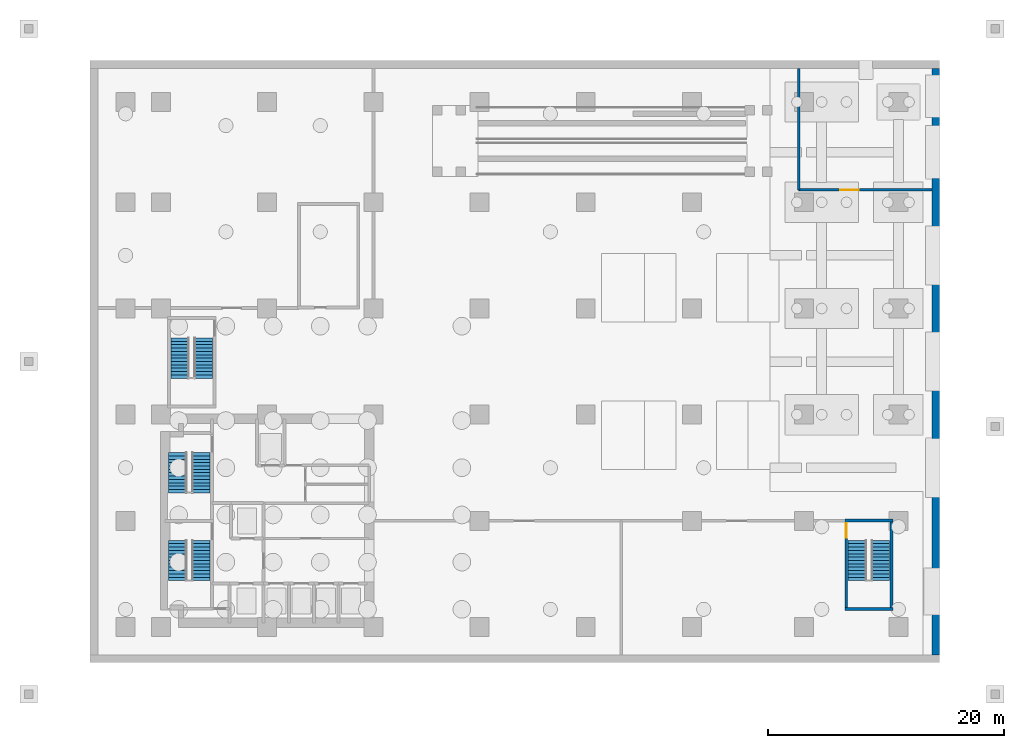
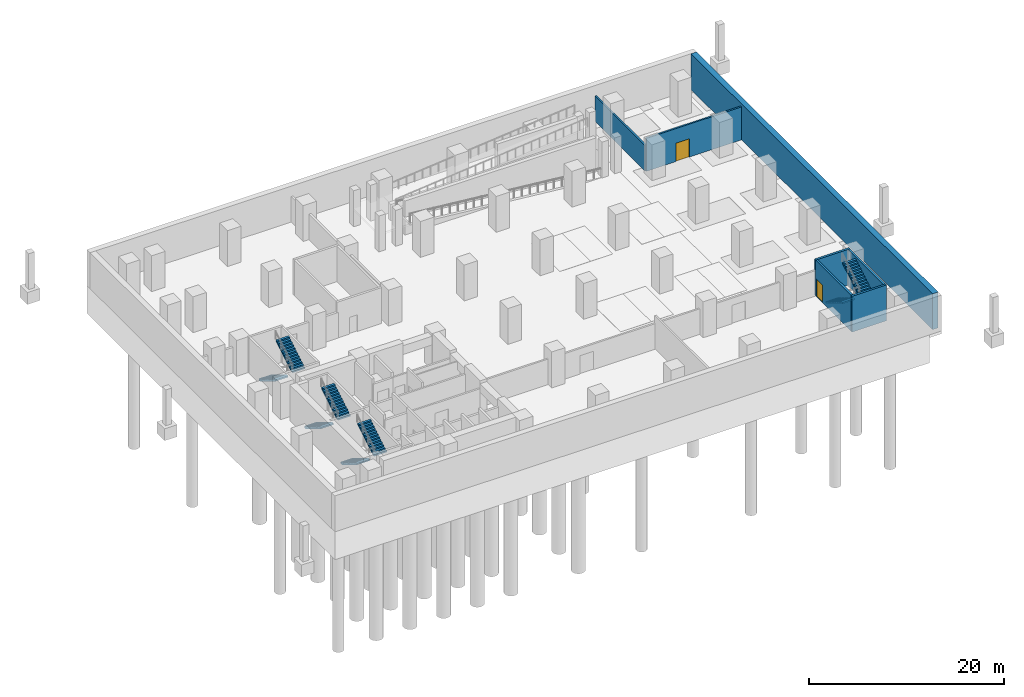
# One storey, part 7 of 10: 8 stair flights, 7 walls, 2 doors, 2 openings, 4 elements without a shape of their own.
"""IFC4 building model written with IfcOpenShell, lengths in metres."""

from ifc_helpers import new_model, si_unit, direction, frame, frame_2d, origin, place, context, subcontext, project, spatial, polyline, rectangle, outline, extrude, material, layer, layer_set, type_object, element, fill, aggregate, save


model = new_model("IFC4")

# Units and contexts
model_context = context("Model", 3, precision=1e-05, world=origin(), true_north=direction((0.0, 1.0)))
body_context = subcontext(model_context, "Body", "Model", "MODEL_VIEW")
ifc_project = project(units=[si_unit("LENGTHUNIT", "METRE"), si_unit("AREAUNIT", "SQUARE_METRE"), si_unit("VOLUMEUNIT", "CUBIC_METRE"), si_unit("PLANEANGLEUNIT", "RADIAN"), si_unit("MASSUNIT", "GRAM", prefix="KILO")], contexts=[model_context])

# Site, building, storey
site_placement = place(None, origin())
site = spatial("IfcSite", under=ifc_project, at=site_placement, CompositionType="ELEMENT")
building_placement = place(site_placement, origin())
building = spatial("IfcBuilding", under=site, at=building_placement, Name="Mawjdan Bourse Tower", CompositionType="ELEMENT")
storey_placement = place(building_placement, frame((0.0, 0.0, -13.5)))
storey = spatial("IfcBuildingStorey", under=building, at=storey_placement, Name="B03", CompositionType="ELEMENT", Elevation=-13.5)

# Wall, opening, door
ifc_material_1 = material(Name="Gypsum Fireboard Assembly")
ifc_layer_1 = layer(ifc_material_1, 0.199951171875)
ifc_layer_set_1 = layer_set([ifc_layer_1], Name="Gypsum Fireboard Assembly")
wall_type_1 = type_object("IfcWallType", Name="WL-CMP-200", PredefinedType="PARTITIONING", material=ifc_layer_set_1)
wall_1_placement = place(storey_placement, frame((60.050048828125, 40.050048828125, 0.0), z_axis=(0.0, 0.0, 1.0), x_axis=(1.0, 0.0, 0.0)))
wall_1 = element("IfcWall", 1, at=wall_1_placement, inside=storey, type_object=wall_type_1, Name="B03 Smoke Fan South Wall", PredefinedType="PARTITIONING", context=body_context, shape_type="SweptSolid", body=[
    extrude(rectangle(XDim=11.300048828125, YDim=0.199951171875, at=frame_2d((5.64990234375, 0.0))), origin(), (0.0, 0.0, 1.0), 4.139892578125),
])
opening_1_placement = place(wall_1_placement, frame((3.5, 0.0, 0.0)))
opening_1 = element("IfcOpeningElement", 2, at=opening_1_placement, cuts=wall_1, Name="Opening PD-B03-24", PredefinedType="OPENING", context=body_context, shape_type="SweptSolid", body=[
    extrude(rectangle(XDim=1.60009765625, YDim=2.300048828125, at=frame_2d((0.800048828125, 1.14990234375))), frame((0.0, 0.10986328125, 0.0), z_axis=(0.0, -1.0, 0.0), x_axis=(1.0, 0.0, 0.0)), (0.0, 0.0, 1.0), 0.219970703125),
])
ifc_material_2 = material(Name="Fire-Rated Acoustic Steel", Category="steel")
door_type_1 = type_object("IfcDoorType", Name="FD-PLT-1600", OperationType="DOUBLE_DOOR_SINGLE_SWING", PredefinedType="DOOR", material=ifc_material_2)
door_1_placement = place(opening_1_placement, origin())
door_1 = element("IfcDoor", 3, at=door_1_placement, inside=storey, type_object=door_type_1, Name="B03 Smoke Fan Room Door PD-B03-24", OperationType="DOUBLE_DOOR_SINGLE_SWING", OverallHeight=2.300048828125, OverallWidth=1.60009765625, PredefinedType="DOOR", context=body_context, shape_type="SweptSolid", body=[
    extrude(rectangle(XDim=1.60009765625, YDim=2.300048828125, at=frame_2d((0.800048828125, 1.14990234375))), frame((0.0, 0.02490234375, 0.0), z_axis=(0.0, -1.0, 0.0), x_axis=(1.0, 0.0, 0.0)), (0.0, 0.0, 1.0), 0.050048828125),
])
fill(opening_1, door_1)

# Walls
wall_2_placement = place(storey_placement, frame((60.050048828125, 40.050048828125, 0.0), z_axis=(0.0, 0.0, 1.0), x_axis=(0.0, 1.0, 0.0)))
element("IfcWall", 4, at=wall_2_placement, inside=storey, type_object=wall_type_1, Name="B03 Smoke Fan West Wall", PredefinedType="PARTITIONING", context=body_context, shape_type="SweptSolid", body=[
    extrude(rectangle(XDim=10.300048828125, YDim=0.199951171875, at=frame_2d((5.14990234375, 0.0))), origin(), (0.0, 0.0, 1.0), 3.199951171875),
])
ifc_material_3 = material(Name="Concrete C60/75", Category="concrete")
ifc_layer_2 = layer(ifc_material_3, 0.64990234375)
ifc_layer_set_2 = layer_set([ifc_layer_2], Name="Concrete C60/75")
wall_type_2 = type_object("IfcWallType", Name="WL-RET-650", PredefinedType="USERDEFINED", material=ifc_layer_set_2)
wall_3_placement = place(storey_placement, frame((71.675048828125, 0.64990234375, 0.0), z_axis=(0.0, 0.0, 1.0), x_axis=(0.0, 1.0, 0.0)))
element("IfcWall", 5, at=wall_3_placement, inside=storey, type_object=wall_type_2, Name="B03 Perimeter Diaphragm Retaining Wall E", ObjectType="RETAINING", PredefinedType="USERDEFINED", context=body_context, shape_type="SweptSolid", body=[
    extrude(rectangle(XDim=49.7001953125, YDim=0.64990234375, at=frame_2d((24.85009765625, 0.0))), origin(), (0.0, 0.0, 1.0), 4.5),
])
ifc_material_4 = material(Name="Concrete C50/60", Category="concrete")
ifc_layer_3 = layer(ifc_material_4, 0.25)
ifc_layer_set_3 = layer_set([ifc_layer_3], Name="Concrete C50/60")
wall_type_3 = type_object("IfcWallType", Name="WL-STRW-250", PredefinedType="SHEAR", material=ifc_layer_set_3)
for number, where, z_axis, x_axis, name in (
    (6, (63.955078125, 4.530029296875, 0.0), (0.0, 0.0, 1.0), (1.0, 0.0, 0.0), "B03 ST6 South Shaft Wall"),
    (7, (63.955078125, 12.030029296875, 0.0), (0.0, 0.0, 1.0), (1.0, 0.0, 0.0), "B03 ST6 North Shaft Wall"),
):
    element("IfcWall", number, at=place(storey_placement, frame(where, z_axis=z_axis, x_axis=x_axis)), inside=storey, type_object=wall_type_3, Name=name, PredefinedType="SHEAR", context=body_context, shape_type="SweptSolid", body=[
        extrude(rectangle(XDim=4.08984375, YDim=0.25, at=frame_2d((2.044921875, 0.0))), origin(), (0.0, 0.0, 1.0), 4.5),
    ])
wall_4_placement = place(storey_placement, frame((67.919921875, 4.530029296875, 0.0), z_axis=(0.0, 0.0, 1.0), x_axis=(0.0, 1.0, 0.0)))
element("IfcWall", 8, at=wall_4_placement, inside=storey, type_object=wall_type_3, Name="B03 ST6 East Shaft Wall", PredefinedType="SHEAR", context=body_context, shape_type="SweptSolid", body=[
    extrude(rectangle(XDim=7.5, YDim=0.25, at=frame_2d((3.75, 0.0))), origin(), (0.0, 0.0, 1.0), 4.5),
])

# Wall, opening, door
wall_5_placement = place(storey_placement, frame((64.080078125, 4.530029296875, 0.0), z_axis=(0.0, 0.0, 1.0), x_axis=(0.0, 1.0, 0.0)))
wall_5 = element("IfcWall", 9, at=wall_5_placement, inside=storey, type_object=wall_type_3, Name="B03 ST6 West Shaft Wall", PredefinedType="SHEAR", context=body_context, shape_type="SweptSolid", body=[
    extrude(rectangle(XDim=7.5, YDim=0.25, at=frame_2d((3.75, 0.0))), origin(), (0.0, 0.0, 1.0), 4.5),
])
opening_2_placement = place(wall_5_placement, frame((6.02001953125, 0.0, 0.0)))
opening_2 = element("IfcOpeningElement", 10, at=opening_2_placement, cuts=wall_5, Name="Opening SD-B03-19", PredefinedType="OPENING", context=body_context, shape_type="SweptSolid", body=[
    extrude(rectangle(XDim=1.25, YDim=2.199951171875, at=frame_2d((0.625, 1.10009765625))), frame((0.0, 0.135009765625, 0.0), z_axis=(0.0, -1.0, 0.0), x_axis=(1.0, 0.0, 0.0)), (0.0, 0.0, 1.0), 0.27001953125),
])
ifc_material_5 = material(Name="Fire-Rated Steel Leaf", Category="steel")
door_type_2 = type_object("IfcDoorType", Name="FD-ST-1250", OperationType="NOTDEFINED", PredefinedType="DOOR", material=ifc_material_5)
door_2_placement = place(opening_2_placement, frame((1.25, 0.0, 0.0), z_axis=(0.0, 0.0, 1.0), x_axis=(-1.0, 0.0, 0.0)))
door_2 = element("IfcDoor", 11, at=door_2_placement, inside=storey, type_object=door_type_2, Name="B03 Stair ST6 Fire Door SD-B03-19", OperationType="SINGLE_SWING_RIGHT", OverallHeight=2.199951171875, OverallWidth=1.25, PredefinedType="DOOR", context=body_context, shape_type="SweptSolid", body=[
    extrude(rectangle(XDim=1.25, YDim=2.199951171875, at=frame_2d((0.625, 1.10009765625))), frame((0.0, 0.02490234375, 0.0), z_axis=(0.0, -1.0, 0.0), x_axis=(1.0, 0.0, 0.0)), (0.0, 0.0, 1.0), 0.050048828125),
])
fill(opening_2, door_2)

# Stair, stair flights
stair_type = type_object("IfcStairType", Name="STR-CORE-1500", PredefinedType="HALF_TURN_STAIR", material=ifc_material_4)
stair_1_placement = place(storey_placement, origin())
stair_1 = element("IfcStair", 12, at=stair_1_placement, inside=storey, type_object=stair_type, Name="B03 Exit Stair 1 (Core South-West)", PredefinedType="HALF_TURN_STAIR")
stair_flight_type = type_object("IfcStairFlightType", Name="SFL-RC-1500", PredefinedType="STRAIGHT", material=ifc_material_4)
stair_flight_1_placement = place(storey_placement, frame((7.389892578125, 10.35009765625, 0.0), z_axis=(0.0, 0.0, 1.0), x_axis=(0.0, -1.0, 0.0)))
stair_flight_1 = element("IfcStairFlight", 13, at=stair_flight_1_placement, type_object=stair_flight_type, Name="ST1-B03 flight 1", NumberOfRisers=13, NumberOfTreads=12, PredefinedType="STRAIGHT", RiserHeight=0.173077, TreadLength=0.285, context=body_context, shape_type="SweptSolid", body=[
    extrude(outline(polyline([(0.0, 0.0), (0.0, 0.173095703125), (0.284912109375, 0.173095703125), (0.284912109375, 0.34619140625), (0.570068359375, 0.34619140625), (0.570068359375, 0.519287109375), (0.85498046875, 0.519287109375), (0.85498046875, 0.6923828125), (1.139892578125, 0.6923828125), (1.139892578125, 0.865478515625), (1.425048828125, 0.865478515625), (1.425048828125, 1.03857421875), (1.7099609375, 1.03857421875), (1.7099609375, 1.21142578125), (1.9951171875, 1.21142578125), (1.9951171875, 1.384521484375), (2.280029296875, 1.384521484375), (2.280029296875, 1.5576171875), (2.56494140625, 1.5576171875), (2.56494140625, 1.730712890625), (2.85009765625, 1.730712890625), (2.85009765625, 1.90380859375), (3.135009765625, 1.90380859375), (3.135009765625, 2.076904296875), (3.419921875, 2.076904296875), (3.419921875, 2.25), (3.419921875, 1.889892578125), (0.30810546875, 0.0), (0.0, 0.0)])), frame((0.0, 0.75, 0.0), z_axis=(0.0, -1.0, 0.0), x_axis=(1.0, 0.0, 0.0)), (0.0, 0.0, 1.0), 1.5),
])
stair_flight_2_placement = place(storey_placement, frame((9.409912109375, 6.929931640625, 2.25), z_axis=(0.0, 0.0, 1.0), x_axis=(0.0, 1.0, 0.0)))
stair_flight_2 = element("IfcStairFlight", 14, at=stair_flight_2_placement, type_object=stair_flight_type, Name="ST1-B03 flight 2", NumberOfRisers=13, NumberOfTreads=12, PredefinedType="STRAIGHT", RiserHeight=0.173077, TreadLength=0.285, context=body_context, shape_type="SweptSolid", body=[
    extrude(outline(polyline([(0.0, 0.0), (0.0, 0.173095703125), (0.284912109375, 0.173095703125), (0.284912109375, 0.34619140625), (0.570068359375, 0.34619140625), (0.570068359375, 0.519287109375), (0.85498046875, 0.519287109375), (0.85498046875, 0.6923828125), (1.139892578125, 0.6923828125), (1.139892578125, 0.865478515625), (1.425048828125, 0.865478515625), (1.425048828125, 1.03857421875), (1.7099609375, 1.03857421875), (1.7099609375, 1.21142578125), (1.9951171875, 1.21142578125), (1.9951171875, 1.384521484375), (2.280029296875, 1.384521484375), (2.280029296875, 1.5576171875), (2.56494140625, 1.5576171875), (2.56494140625, 1.730712890625), (2.85009765625, 1.730712890625), (2.85009765625, 1.90380859375), (3.135009765625, 1.90380859375), (3.135009765625, 2.076904296875), (3.419921875, 2.076904296875), (3.419921875, 2.25), (3.419921875, 1.889892578125), (0.30810546875, 0.0), (0.0, 0.0)])), frame((0.0, 0.75, 0.0), z_axis=(0.0, -1.0, 0.0), x_axis=(1.0, 0.0, 0.0)), (0.0, 0.0, 1.0), 1.5),
])
aggregate(stair_1, [stair_flight_1, stair_flight_2])

stair_2_placement = place(storey_placement, origin())
stair_2 = element("IfcStair", 15, at=stair_2_placement, inside=storey, type_object=stair_type, Name="B03 Exit Stair 2 (Core North-West)", PredefinedType="HALF_TURN_STAIR")
stair_flight_3_placement = place(storey_placement, frame((7.389892578125, 17.7900390625, 0.0), z_axis=(0.0, 0.0, 1.0), x_axis=(0.0, -1.0, 0.0)))
stair_flight_3 = element("IfcStairFlight", 16, at=stair_flight_3_placement, type_object=stair_flight_type, Name="ST2-B03 flight 1", NumberOfRisers=13, NumberOfTreads=12, PredefinedType="STRAIGHT", RiserHeight=0.173077, TreadLength=0.285, context=body_context, shape_type="SweptSolid", body=[
    extrude(outline(polyline([(0.0, 0.0), (0.0, 0.173095703125), (0.284912109375, 0.173095703125), (0.284912109375, 0.34619140625), (0.570068359375, 0.34619140625), (0.570068359375, 0.519287109375), (0.85498046875, 0.519287109375), (0.85498046875, 0.6923828125), (1.139892578125, 0.6923828125), (1.139892578125, 0.865478515625), (1.425048828125, 0.865478515625), (1.425048828125, 1.03857421875), (1.7099609375, 1.03857421875), (1.7099609375, 1.21142578125), (1.9951171875, 1.21142578125), (1.9951171875, 1.384521484375), (2.280029296875, 1.384521484375), (2.280029296875, 1.5576171875), (2.56494140625, 1.5576171875), (2.56494140625, 1.730712890625), (2.85009765625, 1.730712890625), (2.85009765625, 1.90380859375), (3.135009765625, 1.90380859375), (3.135009765625, 2.076904296875), (3.419921875, 2.076904296875), (3.419921875, 2.25), (3.419921875, 1.889892578125), (0.30810546875, 0.0), (0.0, 0.0)])), frame((0.0, 0.75, 0.0), z_axis=(0.0, -1.0, 0.0), x_axis=(1.0, 0.0, 0.0)), (0.0, 0.0, 1.0), 1.5),
])
stair_flight_4_placement = place(storey_placement, frame((9.409912109375, 14.3701171875, 2.25), z_axis=(0.0, 0.0, 1.0), x_axis=(0.0, 1.0, 0.0)))
stair_flight_4 = element("IfcStairFlight", 17, at=stair_flight_4_placement, type_object=stair_flight_type, Name="ST2-B03 flight 2", NumberOfRisers=13, NumberOfTreads=12, PredefinedType="STRAIGHT", RiserHeight=0.173077, TreadLength=0.285, context=body_context, shape_type="SweptSolid", body=[
    extrude(outline(polyline([(0.0, 0.0), (0.0, 0.173095703125), (0.284912109375, 0.173095703125), (0.284912109375, 0.34619140625), (0.570068359375, 0.34619140625), (0.570068359375, 0.519287109375), (0.85498046875, 0.519287109375), (0.85498046875, 0.6923828125), (1.139892578125, 0.6923828125), (1.139892578125, 0.865478515625), (1.425048828125, 0.865478515625), (1.425048828125, 1.03857421875), (1.7099609375, 1.03857421875), (1.7099609375, 1.21142578125), (1.9951171875, 1.21142578125), (1.9951171875, 1.384521484375), (2.280029296875, 1.384521484375), (2.280029296875, 1.5576171875), (2.56494140625, 1.5576171875), (2.56494140625, 1.730712890625), (2.85009765625, 1.730712890625), (2.85009765625, 1.90380859375), (3.135009765625, 1.90380859375), (3.135009765625, 2.076904296875), (3.419921875, 2.076904296875), (3.419921875, 2.25), (3.419921875, 1.889892578125), (0.30810546875, 0.0), (0.0, 0.0)])), frame((0.0, 0.75, 0.0), z_axis=(0.0, -1.0, 0.0), x_axis=(1.0, 0.0, 0.0)), (0.0, 0.0, 1.0), 1.5),
])
aggregate(stair_2, [stair_flight_3, stair_flight_4])

stair_3_placement = place(storey_placement, origin())
stair_3 = element("IfcStair", 18, at=stair_3_placement, inside=storey, type_object=stair_type, Name="B03 Exit Stair 3 (North Wing)", PredefinedType="HALF_TURN_STAIR")
stair_flight_5_placement = place(storey_placement, frame((7.590087890625, 27.5, 0.0), z_axis=(0.0, 0.0, 1.0), x_axis=(0.0, -1.0, 0.0)))
stair_flight_5 = element("IfcStairFlight", 19, at=stair_flight_5_placement, type_object=stair_flight_type, Name="ST3-B03 flight 1", NumberOfRisers=13, NumberOfTreads=12, PredefinedType="STRAIGHT", RiserHeight=0.173077, TreadLength=0.285, context=body_context, shape_type="SweptSolid", body=[
    extrude(outline(polyline([(0.0, 0.0), (0.0, 0.173095703125), (0.284912109375, 0.173095703125), (0.284912109375, 0.34619140625), (0.570068359375, 0.34619140625), (0.570068359375, 0.519287109375), (0.85498046875, 0.519287109375), (0.85498046875, 0.6923828125), (1.139892578125, 0.6923828125), (1.139892578125, 0.865478515625), (1.425048828125, 0.865478515625), (1.425048828125, 1.03857421875), (1.7099609375, 1.03857421875), (1.7099609375, 1.21142578125), (1.9951171875, 1.21142578125), (1.9951171875, 1.384521484375), (2.280029296875, 1.384521484375), (2.280029296875, 1.5576171875), (2.56494140625, 1.5576171875), (2.56494140625, 1.730712890625), (2.85009765625, 1.730712890625), (2.85009765625, 1.90380859375), (3.135009765625, 1.90380859375), (3.135009765625, 2.076904296875), (3.419921875, 2.076904296875), (3.419921875, 2.25), (3.419921875, 1.889892578125), (0.30810546875, 0.0), (0.0, 0.0)])), frame((0.0, 0.75, 0.0), z_axis=(0.0, -1.0, 0.0), x_axis=(1.0, 0.0, 0.0)), (0.0, 0.0, 1.0), 1.5),
])
stair_flight_6_placement = place(storey_placement, frame((9.610107421875, 24.080078125, 2.25), z_axis=(0.0, 0.0, 1.0), x_axis=(0.0, 1.0, 0.0)))
stair_flight_6 = element("IfcStairFlight", 20, at=stair_flight_6_placement, type_object=stair_flight_type, Name="ST3-B03 flight 2", NumberOfRisers=13, NumberOfTreads=12, PredefinedType="STRAIGHT", RiserHeight=0.173077, TreadLength=0.285, context=body_context, shape_type="SweptSolid", body=[
    extrude(outline(polyline([(0.0, 0.0), (0.0, 0.173095703125), (0.284912109375, 0.173095703125), (0.284912109375, 0.34619140625), (0.570068359375, 0.34619140625), (0.570068359375, 0.519287109375), (0.85498046875, 0.519287109375), (0.85498046875, 0.6923828125), (1.139892578125, 0.6923828125), (1.139892578125, 0.865478515625), (1.425048828125, 0.865478515625), (1.425048828125, 1.03857421875), (1.7099609375, 1.03857421875), (1.7099609375, 1.21142578125), (1.9951171875, 1.21142578125), (1.9951171875, 1.384521484375), (2.280029296875, 1.384521484375), (2.280029296875, 1.5576171875), (2.56494140625, 1.5576171875), (2.56494140625, 1.730712890625), (2.85009765625, 1.730712890625), (2.85009765625, 1.90380859375), (3.135009765625, 1.90380859375), (3.135009765625, 2.076904296875), (3.419921875, 2.076904296875), (3.419921875, 2.25), (3.419921875, 1.889892578125), (0.30810546875, 0.0), (0.0, 0.0)])), frame((0.0, 0.75, 0.0), z_axis=(0.0, -1.0, 0.0), x_axis=(1.0, 0.0, 0.0)), (0.0, 0.0, 1.0), 1.5),
])
aggregate(stair_3, [stair_flight_5, stair_flight_6])

stair_4_placement = place(storey_placement, origin())
stair_4 = element("IfcStair", 21, at=stair_4_placement, inside=storey, type_object=stair_type, Name="B03 Exit Stair 6 (East Podium Pier)", PredefinedType="HALF_TURN_STAIR")
stair_flight_7_placement = place(storey_placement, frame((64.989990234375, 10.35009765625, 0.0), z_axis=(0.0, 0.0, 1.0), x_axis=(0.0, -1.0, 0.0)))
stair_flight_7 = element("IfcStairFlight", 22, at=stair_flight_7_placement, type_object=stair_flight_type, Name="ST6-B03 flight 1", NumberOfRisers=13, NumberOfTreads=12, PredefinedType="STRAIGHT", RiserHeight=0.173077, TreadLength=0.285, context=body_context, shape_type="SweptSolid", body=[
    extrude(outline(polyline([(0.0, 0.0), (0.0, 0.173095703125), (0.284912109375, 0.173095703125), (0.284912109375, 0.34619140625), (0.570068359375, 0.34619140625), (0.570068359375, 0.519287109375), (0.85498046875, 0.519287109375), (0.85498046875, 0.6923828125), (1.139892578125, 0.6923828125), (1.139892578125, 0.865478515625), (1.425048828125, 0.865478515625), (1.425048828125, 1.03857421875), (1.7099609375, 1.03857421875), (1.7099609375, 1.21142578125), (1.9951171875, 1.21142578125), (1.9951171875, 1.384521484375), (2.280029296875, 1.384521484375), (2.280029296875, 1.5576171875), (2.56494140625, 1.5576171875), (2.56494140625, 1.730712890625), (2.85009765625, 1.730712890625), (2.85009765625, 1.90380859375), (3.135009765625, 1.90380859375), (3.135009765625, 2.076904296875), (3.419921875, 2.076904296875), (3.419921875, 2.25), (3.419921875, 1.889892578125), (0.30810546875, 0.0), (0.0, 0.0)])), frame((0.0, 0.75, 0.0), z_axis=(0.0, -1.0, 0.0), x_axis=(1.0, 0.0, 0.0)), (0.0, 0.0, 1.0), 1.5),
])
stair_flight_8_placement = place(storey_placement, frame((67.010009765625, 6.929931640625, 2.25), z_axis=(0.0, 0.0, 1.0), x_axis=(0.0, 1.0, 0.0)))
stair_flight_8 = element("IfcStairFlight", 23, at=stair_flight_8_placement, type_object=stair_flight_type, Name="ST6-B03 flight 2", NumberOfRisers=13, NumberOfTreads=12, PredefinedType="STRAIGHT", RiserHeight=0.173077, TreadLength=0.285, context=body_context, shape_type="SweptSolid", body=[
    extrude(outline(polyline([(0.0, 0.0), (0.0, 0.173095703125), (0.284912109375, 0.173095703125), (0.284912109375, 0.34619140625), (0.570068359375, 0.34619140625), (0.570068359375, 0.519287109375), (0.85498046875, 0.519287109375), (0.85498046875, 0.6923828125), (1.139892578125, 0.6923828125), (1.139892578125, 0.865478515625), (1.425048828125, 0.865478515625), (1.425048828125, 1.03857421875), (1.7099609375, 1.03857421875), (1.7099609375, 1.21142578125), (1.9951171875, 1.21142578125), (1.9951171875, 1.384521484375), (2.280029296875, 1.384521484375), (2.280029296875, 1.5576171875), (2.56494140625, 1.5576171875), (2.56494140625, 1.730712890625), (2.85009765625, 1.730712890625), (2.85009765625, 1.90380859375), (3.135009765625, 1.90380859375), (3.135009765625, 2.076904296875), (3.419921875, 2.076904296875), (3.419921875, 2.25), (3.419921875, 1.889892578125), (0.30810546875, 0.0), (0.0, 0.0)])), frame((0.0, 0.75, 0.0), z_axis=(0.0, -1.0, 0.0), x_axis=(1.0, 0.0, 0.0)), (0.0, 0.0, 1.0), 1.5),
])
aggregate(stair_4, [stair_flight_7, stair_flight_8])

save(model, "model.ifc")
